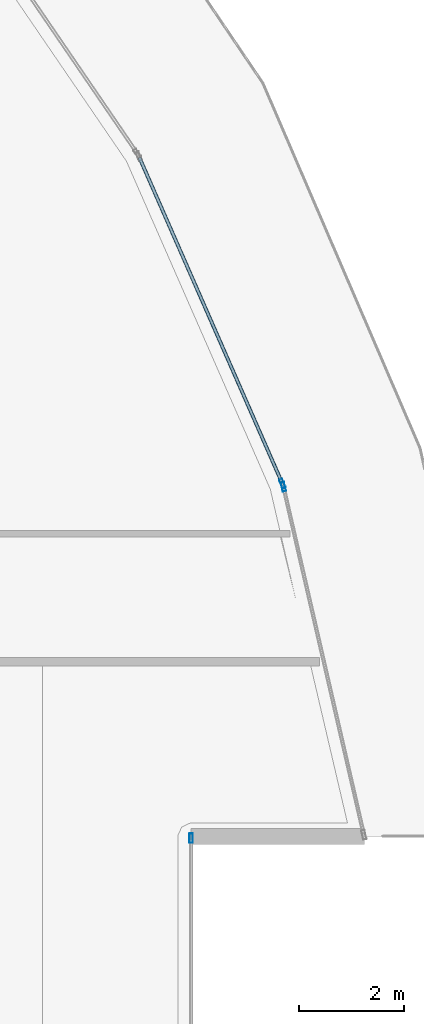
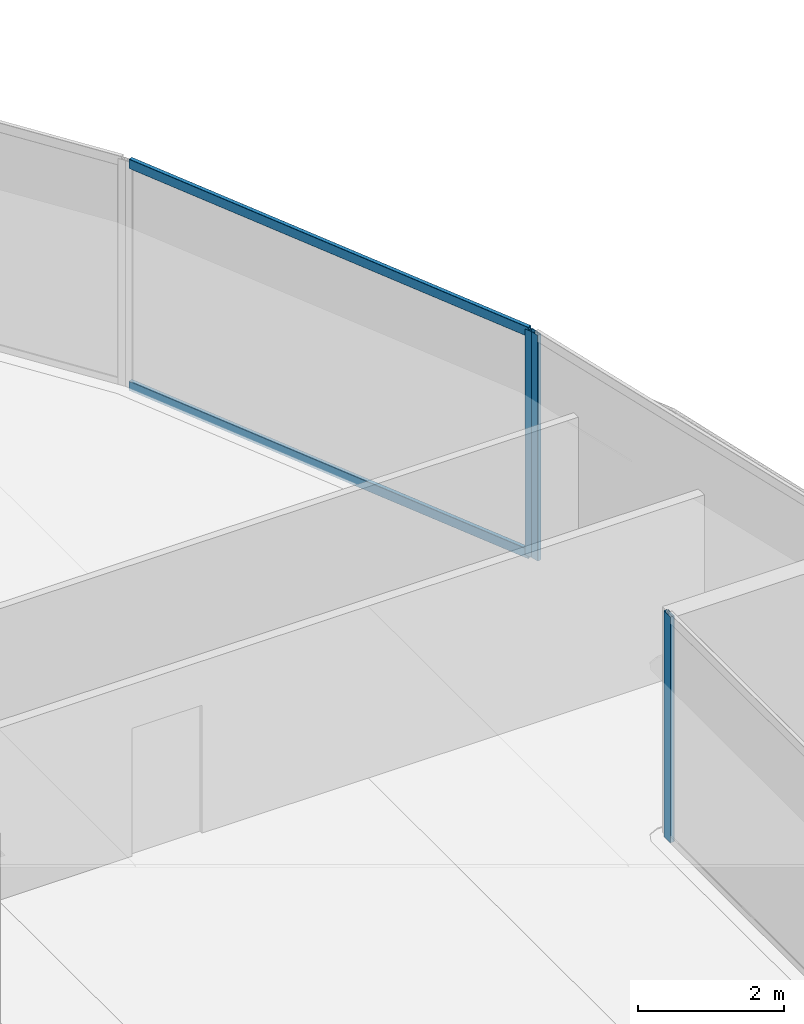
# One storey, part 19 of 45: 5 members, 3 elements without a shape of their own.
"""IFC4 building model written with IfcOpenShell, lengths in metres."""

from ifc_helpers import new_model, si_unit, direction, frame, origin, origin_2d, place, context, subcontext, project, spatial, hollow_rectangle, extrude, material, layer, layer_set, material_profile, profile_set, type_object, element, aggregate, save


model = new_model("IFC4")

# Units and contexts
model_context = context("Model", 3, precision=1e-05, world=origin(), true_north=direction((0.0, 1.0)))
body_context = subcontext(model_context, "Body", "Model", "MODEL_VIEW")
ifc_project = project(units=[si_unit("LENGTHUNIT", "METRE"), si_unit("AREAUNIT", "SQUARE_METRE"), si_unit("VOLUMEUNIT", "CUBIC_METRE"), si_unit("PLANEANGLEUNIT", "RADIAN"), si_unit("MASSUNIT", "GRAM", prefix="KILO")], contexts=[model_context])

# Site, building, storey
site_placement = place(None, origin())
site = spatial("IfcSite", under=ifc_project, at=site_placement, CompositionType="ELEMENT")
building_placement = place(site_placement, origin())
building = spatial("IfcBuilding", under=site, at=building_placement, Name="Qorvath Tower", CompositionType="ELEMENT")
storey_placement = place(building_placement, frame((0.0, 0.0, 126.0)))
storey = spatial("IfcBuildingStorey", under=building, at=storey_placement, Name="L28", CompositionType="ELEMENT", Elevation=126.0)

# Curtain wall, member
ifc_material_1 = material(Name="Anodised aluminium and triple low-E glass", Category="aluminium")
ifc_layer = layer(ifc_material_1, 0.179931640625)
ifc_layer_set = layer_set([ifc_layer], Name="CW-SYS-2")
curtain_wall_type = type_object("IfcCurtainWallType", Name="CW-SYS-2", PredefinedType="NOTDEFINED", material=ifc_layer_set)
curtain_wall_1_placement = place(storey_placement, origin())
curtain_wall_1 = element("IfcCurtainWall", 1, at=curtain_wall_1_placement, inside=storey, type_object=curtain_wall_type, Name="Curtain Wall CW-2 CW-T-L28-9.1", PredefinedType="NOTDEFINED")
ifc_material_2 = material(Name="Anodised aluminium 6063-T6", Category="aluminium")
ifc_material_profile_1 = material_profile(ifc_material_2, hollow_rectangle(XDim=0.06494140625, YDim=0.179931640625, WallThickness=0.00341796875, InnerFilletRadius=0.00341796875, OuterFilletRadius=0.007080078125, at=origin_2d()), Name="CWM 180x65")
ifc_profile_set_1 = profile_set([ifc_material_profile_1], Name="Anodised aluminium 6063-T6")
member_type_1 = type_object("IfcMemberType", Name="CWM-180", PredefinedType="MULLION", material=ifc_profile_set_1)
member_1_placement = place(storey_placement, frame((1.386962890625, 4.935546875, 0.0), z_axis=(0.0, 0.0, 1.0), x_axis=(-1.0, 0.0, 0.0)))
member_1 = element("IfcMember", 2, at=member_1_placement, type_object=member_type_1, Name="CW-2 mullion 3", PredefinedType="MULLION", context=body_context, shape_type="SweptSolid", body=[
    extrude(hollow_rectangle(XDim=0.06494140625, YDim=0.179931640625, WallThickness=0.00341796875, InnerFilletRadius=0.00341796875, OuterFilletRadius=0.007080078125, at=origin_2d()), origin(), (0.0, 0.0, 1.0), 3.77001953125),
])
aggregate(curtain_wall_1, [member_1])

curtain_wall_2_placement = place(storey_placement, origin())
curtain_wall_2 = element("IfcCurtainWall", 3, at=curtain_wall_2_placement, inside=storey, type_object=curtain_wall_type, Name="Curtain Wall CW-2 CW-T-L28-11.1", PredefinedType="NOTDEFINED")
member_2_placement = place(storey_placement, frame((3.151611328125, 11.660400390625, 0.0), z_axis=(0.0, 0.0, 1.0), x_axis=(-0.974296356855, -0.225270080166, 0.0)))
member_2 = element("IfcMember", 4, at=member_2_placement, type_object=member_type_1, Name="CW-2 mullion 2", PredefinedType="MULLION", context=body_context, shape_type="SweptSolid", body=[
    extrude(hollow_rectangle(XDim=0.06494140625, YDim=0.179931640625, WallThickness=0.00341796875, InnerFilletRadius=0.00341796875, OuterFilletRadius=0.007080078125, at=origin_2d()), origin(), (0.0, 0.0, 1.0), 3.77001953125),
])
aggregate(curtain_wall_2, [member_2])

# Curtain wall, members
curtain_wall_3_placement = place(storey_placement, origin())
curtain_wall_3 = element("IfcCurtainWall", 5, at=curtain_wall_3_placement, inside=storey, type_object=curtain_wall_type, Name="Curtain Wall CW-2 CW-T-L28-12.1", PredefinedType="NOTDEFINED")
member_3_placement = place(storey_placement, frame((3.13134765625, 11.721923828125, 0.0), z_axis=(0.0, 0.0, 1.0), x_axis=(-0.915793818987, -0.401648703602, 0.0)))
member_3 = element("IfcMember", 6, at=member_3_placement, type_object=member_type_1, Name="CW-2 mullion 1", PredefinedType="MULLION", context=body_context, shape_type="SweptSolid", body=[
    extrude(hollow_rectangle(XDim=0.06494140625, YDim=0.179931640625, WallThickness=0.00341796875, InnerFilletRadius=0.00341796875, OuterFilletRadius=0.007080078125, at=origin_2d()), origin(), (0.0, 0.0, 1.0), 3.77001953125),
])
ifc_material_3 = material(Name="Anodised aluminium 6063-T6", Category="aluminium")
ifc_material_profile_2 = material_profile(ifc_material_3, hollow_rectangle(XDim=0.06494140625, YDim=0.159912109375, WallThickness=0.00341796875, InnerFilletRadius=0.00341796875, OuterFilletRadius=0.007080078125, at=origin_2d()), Name="CWT 160x65")
ifc_profile_set_2 = profile_set([ifc_material_profile_2], Name="Anodised aluminium 6063-T6")
member_type_2 = type_object("IfcMemberType", Name="CWT-160", PredefinedType="USERDEFINED", material=ifc_profile_set_2)
member_4_placement = place(storey_placement, frame((3.1181640625, 11.751708984375, 0.032470703125), z_axis=(-0.40165088522, 0.91579286217, 0.0), x_axis=(-0.91579286217, -0.40165088522, 0.0)))
member_4 = element("IfcMember", 7, at=member_4_placement, type_object=member_type_2, Name="CW-2 transom 1.1", ObjectType="TRANSOM", PredefinedType="USERDEFINED", context=body_context, shape_type="SweptSolid", body=[
    extrude(hollow_rectangle(XDim=0.06494140625, YDim=0.159912109375, WallThickness=0.00341796875, InnerFilletRadius=0.00341796875, OuterFilletRadius=0.007080078125, at=origin_2d()), origin(), (0.0, 0.0, 1.0), 6.771484375),
])
member_5_placement = place(storey_placement, frame((3.1181640625, 11.751708984375, 3.737548828125), z_axis=(-0.40165088522, 0.91579286217, 0.0), x_axis=(-0.91579286217, -0.40165088522, 0.0)))
member_5 = element("IfcMember", 8, at=member_5_placement, type_object=member_type_2, Name="CW-2 transom 1.2", ObjectType="TRANSOM", PredefinedType="USERDEFINED", context=body_context, shape_type="SweptSolid", body=[
    extrude(hollow_rectangle(XDim=0.06494140625, YDim=0.159912109375, WallThickness=0.00341796875, InnerFilletRadius=0.00341796875, OuterFilletRadius=0.007080078125, at=origin_2d()), origin(), (0.0, 0.0, 1.0), 6.771484375),
])
aggregate(curtain_wall_3, [member_3, member_4, member_5])

save(model, "model.ifc")
